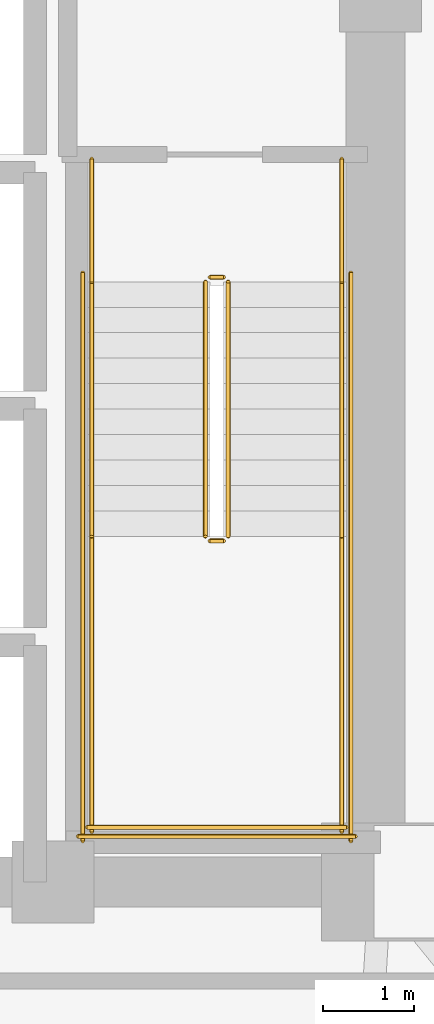
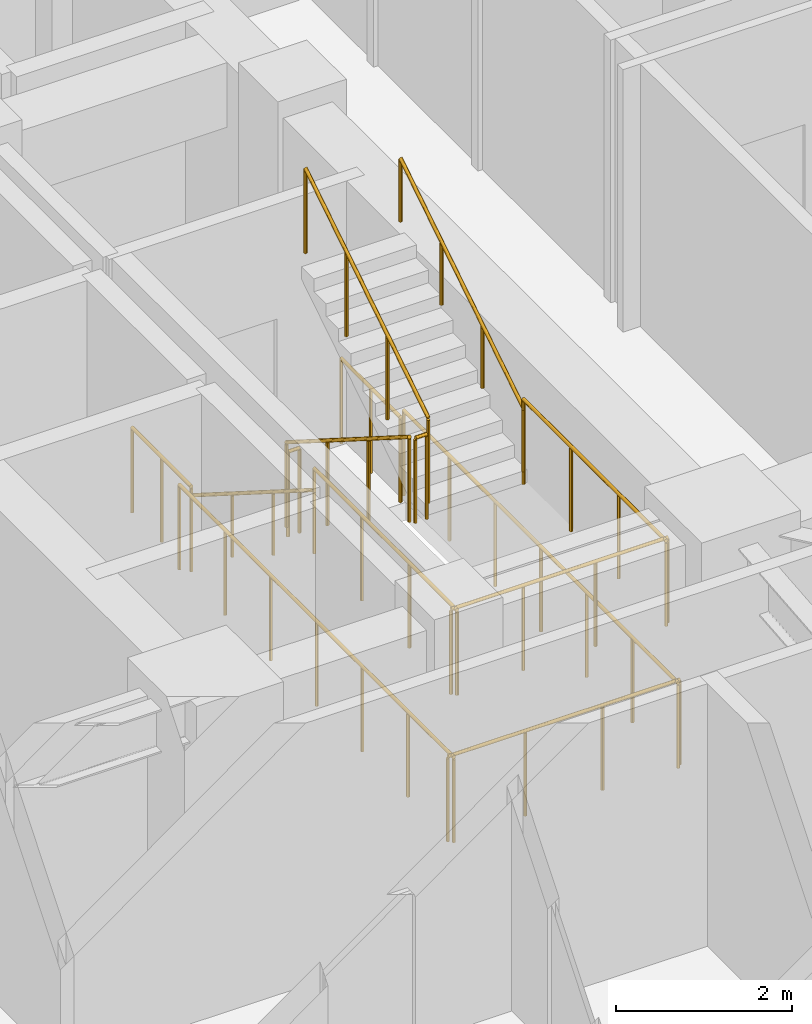
# One storey, part 12 of 12: 14 railings.
"""IFC4 building model written with IfcOpenShell, lengths in metres."""

from ifc_helpers import new_model, si_unit, direction, frame, origin, origin_2d, place, context, subcontext, project, spatial, circle, extrude, material, type_object, element, save


model = new_model("IFC4")

# Units and contexts
model_context = context("Model", 3, precision=1e-05, world=origin(), true_north=direction((0.0, 1.0)))
body_context = subcontext(model_context, "Body", "Model", "MODEL_VIEW")
ifc_project = project(units=[si_unit("LENGTHUNIT", "METRE"), si_unit("AREAUNIT", "SQUARE_METRE"), si_unit("VOLUMEUNIT", "CUBIC_METRE"), si_unit("PLANEANGLEUNIT", "RADIAN"), si_unit("MASSUNIT", "GRAM", prefix="KILO")], contexts=[model_context])

# Site, building, storey
site_placement = place(None, origin())
site = spatial("IfcSite", under=ifc_project, at=site_placement, CompositionType="ELEMENT")
building_placement = place(site_placement, origin())
building = spatial("IfcBuilding", under=site, at=building_placement, Name="Voryun Gate Residences", CompositionType="ELEMENT")
storey_placement = place(building_placement, frame((0.0, 0.0, 128.699951171875)))
storey = spatial("IfcBuildingStorey", under=building, at=storey_placement, Name="L31", CompositionType="ELEMENT", Elevation=128.699951171875)

# Railings
ifc_material_1 = material(Name="Painted steel", Category="steel")
railing_type_1 = type_object("IfcRailingType", Name="RAIL_STAIR_GUARD_1200", PredefinedType="GUARDRAIL", material=ifc_material_1)
railing_1_placement = place(storey_placement, frame((17.27490234375, -0.800048828125, 0.17724609375)))
element("IfcRailing", 1, at=railing_1_placement, inside=storey, type_object=railing_type_1, Name="L31 ST-E1 stair guard 1", PredefinedType="GUARDRAIL", context=body_context, shape_type="SweptSolid", body=[
    extrude(circle(Radius=0.02392578125, at=origin_2d()), frame((0.0, 0.0, 1.17578125), z_axis=(0.0, -0.844908973607, 0.534910110503), x_axis=(1.0, 0.0, 0.0)), (0.0, 0.0, 1.0), 3.31396484375),
    extrude(circle(Radius=0.02099609375, at=origin_2d()), origin(), (0.0, 0.0, 1.0), 1.15185546875),
    extrude(circle(Radius=0.02099609375, at=origin_2d()), frame((0.0, -0.933349609375, 0.5908203125)), (0.0, 0.0, 1.0), 1.15185546875),
    extrude(circle(Radius=0.02099609375, at=origin_2d()), frame((0.0, -1.86669921875, 1.181884765625)), (0.0, 0.0, 1.0), 1.15185546875),
    extrude(circle(Radius=0.02099609375, at=origin_2d()), frame((0.0, -2.800048828125, 1.772705078125)), (0.0, 0.0, 1.0), 1.15185546875),
])
railing_2_placement = place(storey_placement, frame((17.324951171875, -3.64990234375, 1.949951171875)))
element("IfcRailing", 2, at=railing_2_placement, inside=storey, type_object=railing_type_1, Name="L31 ST-E1 stair guard 2", PredefinedType="GUARDRAIL", context=body_context, shape_type="SweptSolid", body=[
    extrude(circle(Radius=0.02392578125, at=origin_2d()), frame((0.0, 0.0, 1.17578125), z_axis=(1.0, 0.0, 0.0), x_axis=(0.0, 1.0, 0.0)), (0.0, 0.0, 1.0), 0.150146484375),
    extrude(circle(Radius=0.02099609375, at=origin_2d()), origin(), (0.0, 0.0, 1.0), 1.15185546875),
    extrude(circle(Radius=0.02099609375, at=origin_2d()), frame((0.150146484375, 0.0, 0.0)), (0.0, 0.0, 1.0), 1.15185546875),
])
for number, where, name in (
    (3, (16.02490234375, -3.60009765625, 1.949951171875), "L31 ST-E1 stair guard 3"),
    (4, (18.77490234375, -3.60009765625, 1.949951171875), "L31 ST-E1 stair guard 4"),
):
    element("IfcRailing", number, at=place(storey_placement, frame(where)), inside=storey, type_object=railing_type_1, Name=name, PredefinedType="GUARDRAIL", context=body_context, shape_type="SweptSolid", body=[
        extrude(circle(Radius=0.02392578125, at=origin_2d()), frame((0.0, 0.0, 1.17578125), z_axis=(0.0, -1.0, 0.0), x_axis=(1.0, 0.0, 0.0)), (0.0, 0.0, 1.0), 3.25),
        extrude(circle(Radius=0.02099609375, at=origin_2d()), origin(), (0.0, 0.0, 1.0), 1.15185546875),
        extrude(circle(Radius=0.02099609375, at=origin_2d()), frame((0.0, -1.083251953125, 0.0)), (0.0, 0.0, 1.0), 1.15185546875),
        extrude(circle(Radius=0.02099609375, at=origin_2d()), frame((0.0, -2.166748046875, 0.0)), (0.0, 0.0, 1.0), 1.15185546875),
        extrude(circle(Radius=0.02099609375, at=origin_2d()), frame((0.0, -3.25, 0.0)), (0.0, 0.0, 1.0), 1.15185546875),
    ])
railing_3_placement = place(storey_placement, frame((15.97509765625, -6.800048828125, 1.949951171875)))
element("IfcRailing", 5, at=railing_3_placement, inside=storey, type_object=railing_type_1, Name="L31 ST-E1 stair guard 5", PredefinedType="GUARDRAIL", context=body_context, shape_type="SweptSolid", body=[
    extrude(circle(Radius=0.02392578125, at=origin_2d()), frame((0.0, 0.0, 1.17578125), z_axis=(1.0, 0.0, 0.0), x_axis=(0.0, 1.0, 0.0)), (0.0, 0.0, 1.0), 2.849853515625),
    extrude(circle(Radius=0.02099609375, at=origin_2d()), origin(), (0.0, 0.0, 1.0), 1.15185546875),
    extrude(circle(Radius=0.02099609375, at=origin_2d()), frame((0.949951171875, 0.0, 0.0)), (0.0, 0.0, 1.0), 1.15185546875),
    extrude(circle(Radius=0.02099609375, at=origin_2d()), frame((1.89990234375, 0.0, 0.0)), (0.0, 0.0, 1.0), 1.15185546875),
    extrude(circle(Radius=0.02099609375, at=origin_2d()), frame((2.849853515625, 0.0, 0.0)), (0.0, 0.0, 1.0), 1.15185546875),
])
railing_4_placement = place(storey_placement, frame((17.52490234375, -3.60009765625, 2.12744140625)))
element("IfcRailing", 6, at=railing_4_placement, inside=storey, type_object=railing_type_1, Name="L31 ST-E1 stair guard 6", PredefinedType="GUARDRAIL", context=body_context, shape_type="SweptSolid", body=[
    extrude(circle(Radius=0.02392578125, at=origin_2d()), frame((0.0, 0.0, 1.17578125), z_axis=(0.0, 0.844908973607, 0.534910110503), x_axis=(-1.0, 0.0, 0.0)), (0.0, 0.0, 1.0), 3.31396484375),
    extrude(circle(Radius=0.02099609375, at=origin_2d()), origin(), (0.0, 0.0, 1.0), 1.15185546875),
    extrude(circle(Radius=0.02099609375, at=origin_2d()), frame((0.0, 0.933349609375, 0.5908203125)), (0.0, 0.0, 1.0), 1.15185546875),
    extrude(circle(Radius=0.02099609375, at=origin_2d()), frame((0.0, 1.86669921875, 1.181884765625)), (0.0, 0.0, 1.0), 1.15185546875),
    extrude(circle(Radius=0.02099609375, at=origin_2d()), frame((0.0, 2.800048828125, 1.772705078125)), (0.0, 0.0, 1.0), 1.15185546875),
])
railing_5_placement = place(storey_placement, frame((17.324951171875, -0.75, 0.0)))
element("IfcRailing", 7, at=railing_5_placement, inside=storey, type_object=railing_type_1, Name="L31 ST-E1 stair guard 7", PredefinedType="GUARDRAIL", context=body_context, shape_type="SweptSolid", body=[
    extrude(circle(Radius=0.02392578125, at=origin_2d()), frame((0.0, 0.0, 1.17578125), z_axis=(1.0, 0.0, 0.0), x_axis=(0.0, 1.0, 0.0)), (0.0, 0.0, 1.0), 0.150146484375),
    extrude(circle(Radius=0.02099609375, at=origin_2d()), origin(), (0.0, 0.0, 1.0), 1.15185546875),
    extrude(circle(Radius=0.02099609375, at=origin_2d()), frame((0.150146484375, 0.0, 0.0)), (0.0, 0.0, 1.0), 1.15185546875),
])
for number, where, name in (
    (8, (16.02490234375, 0.550048828125, 0.0), "L31 ST-E1 stair guard 8"),
    (9, (18.77490234375, 0.550048828125, 0.0), "L31 ST-E1 stair guard 9"),
):
    element("IfcRailing", number, at=place(storey_placement, frame(where)), inside=storey, type_object=railing_type_1, Name=name, PredefinedType="GUARDRAIL", context=body_context, shape_type="SweptSolid", body=[
        extrude(circle(Radius=0.02392578125, at=origin_2d()), frame((0.0, 0.0, 1.17578125), z_axis=(0.0, -1.0, 0.0), x_axis=(1.0, 0.0, 0.0)), (0.0, 0.0, 1.0), 1.35009765625),
        extrude(circle(Radius=0.02099609375, at=origin_2d()), origin(), (0.0, 0.0, 1.0), 1.15185546875),
        extrude(circle(Radius=0.02099609375, at=origin_2d()), frame((0.0, -0.675048828125, 0.0)), (0.0, 0.0, 1.0), 1.15185546875),
        extrude(circle(Radius=0.02099609375, at=origin_2d()), frame((0.0, -1.35009765625, 0.0)), (0.0, 0.0, 1.0), 1.15185546875),
    ])
for number, where, name in (
    (10, (15.925048828125, -0.699951171875, 0.0), "L31 ST-E1 stair guard 10"),
    (11, (18.875, -0.699951171875, 0.0), "L31 ST-E1 stair guard 11"),
):
    element("IfcRailing", number, at=place(storey_placement, frame(where)), inside=storey, type_object=railing_type_1, Name=name, PredefinedType="GUARDRAIL", context=body_context, shape_type="SweptSolid", body=[
        extrude(circle(Radius=0.02392578125, at=origin_2d()), frame((0.0, 0.0, 1.17578125), z_axis=(0.0, -1.0, 0.0), x_axis=(1.0, 0.0, 0.0)), (0.0, 0.0, 1.0), 6.25),
        extrude(circle(Radius=0.02099609375, at=origin_2d()), origin(), (0.0, 0.0, 1.0), 1.15185546875),
        extrude(circle(Radius=0.02099609375, at=origin_2d()), frame((0.0, -1.041748046875, 0.0)), (0.0, 0.0, 1.0), 1.15185546875),
        extrude(circle(Radius=0.02099609375, at=origin_2d()), frame((0.0, -2.083251953125, 0.0)), (0.0, 0.0, 1.0), 1.15185546875),
        extrude(circle(Radius=0.02099609375, at=origin_2d()), frame((0.0, -3.125, 0.0)), (0.0, 0.0, 1.0), 1.15185546875),
        extrude(circle(Radius=0.02099609375, at=origin_2d()), frame((0.0, -4.166748046875, 0.0)), (0.0, 0.0, 1.0), 1.15185546875),
        extrude(circle(Radius=0.02099609375, at=origin_2d()), frame((0.0, -5.208251953125, 0.0)), (0.0, 0.0, 1.0), 1.15185546875),
        extrude(circle(Radius=0.02099609375, at=origin_2d()), frame((0.0, -6.25, 0.0)), (0.0, 0.0, 1.0), 1.15185546875),
    ])
railing_6_placement = place(storey_placement, frame((15.875, -6.89990234375, 0.0)))
element("IfcRailing", 12, at=railing_6_placement, inside=storey, type_object=railing_type_1, Name="L31 ST-E1 stair guard 12", PredefinedType="GUARDRAIL", context=body_context, shape_type="SweptSolid", body=[
    extrude(circle(Radius=0.02392578125, at=origin_2d()), frame((0.0, 0.0, 1.17578125), z_axis=(1.0, 0.0, 0.0), x_axis=(0.0, 1.0, 0.0)), (0.0, 0.0, 1.0), 3.050048828125),
    extrude(circle(Radius=0.02099609375, at=origin_2d()), origin(), (0.0, 0.0, 1.0), 1.15185546875),
    extrude(circle(Radius=0.02099609375, at=origin_2d()), frame((1.0166015625, 0.0, 0.0)), (0.0, 0.0, 1.0), 1.15185546875),
    extrude(circle(Radius=0.02099609375, at=origin_2d()), frame((2.033447265625, 0.0, 0.0)), (0.0, 0.0, 1.0), 1.15185546875),
    extrude(circle(Radius=0.02099609375, at=origin_2d()), frame((3.050048828125, 0.0, 0.0)), (0.0, 0.0, 1.0), 1.15185546875),
])
ifc_material_2 = material(Name="Painted steel", Category="steel")
railing_type_2 = type_object("IfcRailingType", Name="RAIL_STAIR_HANDRAIL_900", PredefinedType="HANDRAIL", material=ifc_material_2)
railing_7_placement = place(storey_placement, frame((16.02490234375, -0.800048828125, 0.17724609375)))
element("IfcRailing", 13, at=railing_7_placement, inside=storey, type_object=railing_type_2, Name="L31 ST-E1 stair handrail 1", PredefinedType="HANDRAIL", context=body_context, shape_type="SweptSolid", body=[
    extrude(circle(Radius=0.02392578125, at=origin_2d()), frame((0.0, 0.0, 0.8759765625), z_axis=(0.0, -0.844908973607, 0.534910110503), x_axis=(1.0, 0.0, 0.0)), (0.0, 0.0, 1.0), 3.31396484375),
    extrude(circle(Radius=0.02099609375, at=origin_2d()), origin(), (0.0, 0.0, 1.0), 0.851806640625),
    extrude(circle(Radius=0.02099609375, at=origin_2d()), frame((0.0, -0.933349609375, 0.5908203125)), (0.0, 0.0, 1.0), 0.851806640625),
    extrude(circle(Radius=0.02099609375, at=origin_2d()), frame((0.0, -1.86669921875, 1.181884765625)), (0.0, 0.0, 1.0), 0.851806640625),
    extrude(circle(Radius=0.02099609375, at=origin_2d()), frame((0.0, -2.800048828125, 1.772705078125)), (0.0, 0.0, 1.0), 0.851806640625),
])
railing_8_placement = place(storey_placement, frame((18.77490234375, -3.60009765625, 2.12744140625)))
element("IfcRailing", 14, at=railing_8_placement, inside=storey, type_object=railing_type_2, Name="L31 ST-E1 stair handrail 2", PredefinedType="HANDRAIL", context=body_context, shape_type="SweptSolid", body=[
    extrude(circle(Radius=0.02392578125, at=origin_2d()), frame((0.0, 0.0, 0.8759765625), z_axis=(0.0, 0.844908973607, 0.534910110503), x_axis=(-1.0, 0.0, 0.0)), (0.0, 0.0, 1.0), 3.31396484375),
    extrude(circle(Radius=0.02099609375, at=origin_2d()), origin(), (0.0, 0.0, 1.0), 0.851806640625),
    extrude(circle(Radius=0.02099609375, at=origin_2d()), frame((0.0, 0.933349609375, 0.5908203125)), (0.0, 0.0, 1.0), 0.851806640625),
    extrude(circle(Radius=0.02099609375, at=origin_2d()), frame((0.0, 1.86669921875, 1.181884765625)), (0.0, 0.0, 1.0), 0.851806640625),
    extrude(circle(Radius=0.02099609375, at=origin_2d()), frame((0.0, 2.800048828125, 1.772705078125)), (0.0, 0.0, 1.0), 0.851806640625),
])

save(model, "model.ifc")
